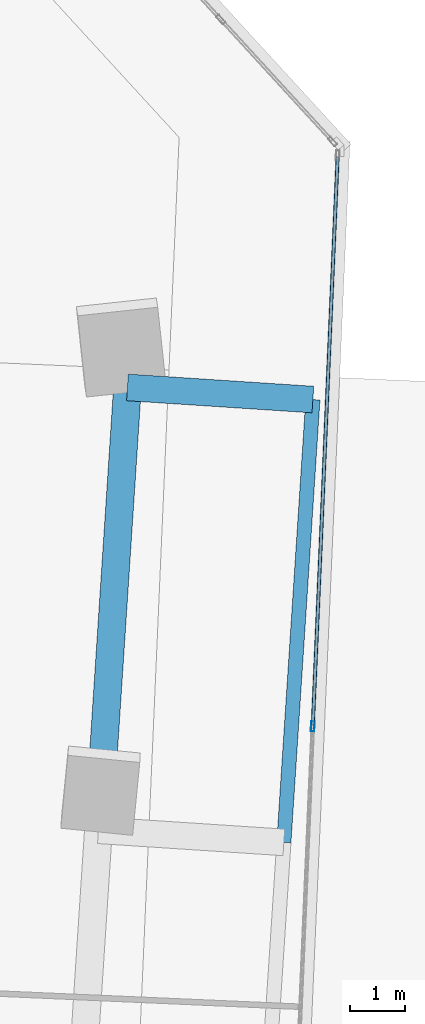
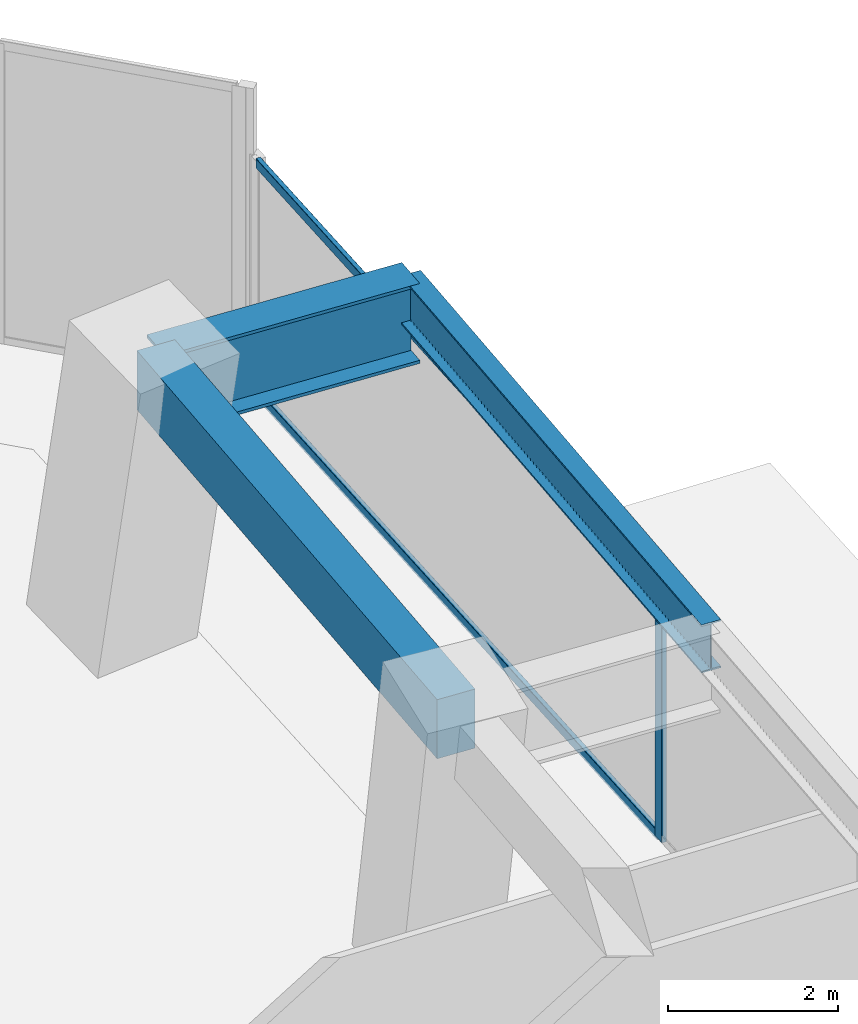
# One storey, part 13 of 27: 3 beams, 3 members, 1 element without a shape of its own.
"""IFC4 building model written with IfcOpenShell, lengths in metres."""

from ifc_helpers import new_model, si_unit, direction, frame, origin, origin_2d, place, context, subcontext, project, spatial, rectangle, hollow_rectangle, i_section, extrude, source, transform, mapped, material, material_profile, profile_set, type_object, element, aggregate, save


model = new_model("IFC4")

# Units and contexts
model_context = context("Model", 3, precision=1e-05, world=origin(), true_north=direction((0.0, 1.0)))
body_context = subcontext(model_context, "Body", "Model", "MODEL_VIEW")
ifc_project = project(units=[si_unit("LENGTHUNIT", "METRE"), si_unit("AREAUNIT", "SQUARE_METRE"), si_unit("VOLUMEUNIT", "CUBIC_METRE"), si_unit("PLANEANGLEUNIT", "RADIAN"), si_unit("MASSUNIT", "GRAM", prefix="KILO")], contexts=[model_context])

# Site, building, storey
site_placement = place(None, origin())
site = spatial("IfcSite", under=ifc_project, at=site_placement, CompositionType="ELEMENT")
building_placement = place(site_placement, origin())
building = spatial("IfcBuilding", under=site, at=building_placement, Name="Torre Montelarca", CompositionType="ELEMENT")
storey_placement = place(building_placement, frame((0.0, 0.0, 37.60009765625)))
storey = spatial("IfcBuildingStorey", under=building, at=storey_placement, Name="L08", CompositionType="ELEMENT", Elevation=37.60009765625)

# Beams
ifc_material_1 = material(Name="Concrete C55/67", Category="concrete")
ifc_material_profile_1 = material_profile(ifc_material_1, rectangle(XDim=0.5, YDim=0.85009765625, at=origin_2d()), Name="RCB500X850", Category="concrete")
ifc_profile_set_1 = profile_set([ifc_material_profile_1], Name="Concrete C55/67")
beam_type_1 = type_object("IfcBeamType", Name="BM-SP-RC850-EXT", PredefinedType="SPANDREL", material=ifc_profile_set_1)
shared_shape_1 = source(origin(), body_context, "Body", "SweptSolid", [
    extrude(rectangle(XDim=0.5, YDim=0.85009765625, at=origin_2d()), origin(), (0.0, 0.0, 1.0), 8.0),
])
beam_1_placement = place(storey_placement, frame((59.91748046875, 29.48193359375, 4.135009765625), z_axis=(0.065429257417, 0.997857210363, 0.0), x_axis=(-0.997857210363, 0.065429257417, 0.0)))
element("IfcBeam", 1, at=beam_1_placement, inside=storey, type_object=beam_type_1, Name="L08 Grid Girder Y 32.0-40.0 at X=60.0", PredefinedType="SPANDREL", context=body_context, shape_type="MappedRepresentation", body=[
    mapped(shared_shape_1, transform((0.0, 0.0, 0.0), scale=1.0)),
])
ifc_material_2 = material(Name="Steel ASTM A572 Grade 50", Category="steel")
ifc_material_profile_2 = material_profile(ifc_material_2, i_section(OverallWidth=0.47998046875, OverallDepth=1.14990234375, WebThickness=0.02197265625, FlangeThickness=0.044921875, at=origin_2d()), Name="PG1150X480X22X45", Category="steel")
ifc_profile_set_2 = profile_set([ifc_material_profile_2], Name="Steel ASTM A572 Grade 50")
beam_type_2 = type_object("IfcBeamType", Name="BM-CG-PG1400-EXT", PredefinedType="USERDEFINED", material=ifc_profile_set_2)
shared_shape_2 = source(origin(), body_context, "Body", "SweptSolid", [
    extrude(i_section(OverallWidth=0.47998046875, OverallDepth=1.14990234375, WebThickness=0.02197265625, FlangeThickness=0.044921875, at=origin_2d()), origin(), (0.0, 0.0, 1.0), 3.349853515625),
])
beam_2_placement = place(storey_placement, frame((60.44091796875, 37.46484375, 3.98486328125), z_axis=(0.997860925622, -0.065372571595, 0.0), x_axis=(0.065372571595, 0.997860925622, 0.0)))
element("IfcBeam", 2, at=beam_2_placement, inside=storey, type_object=beam_type_2, Name="L08 Sliding Tray Cantilever Girder East Y=40m (FLR)", ObjectType="CANTILEVER GIRDER", PredefinedType="USERDEFINED", context=body_context, shape_type="MappedRepresentation", body=[
    mapped(shared_shape_2, transform((0.0, 0.0, 0.0), scale=1.0)),
])
ifc_material_3 = material(Name="Steel ASTM A992 Grade 50", Category="steel")
ifc_material_profile_3 = material_profile(ifc_material_3, i_section(OverallWidth=0.256103515625, OverallDepth=0.693115234375, WebThickness=0.014404296875, FlangeThickness=0.023681640625, FilletRadius=0.01806640625, at=origin_2d()), Name="W690X170", Category="steel")
ifc_profile_set_3 = profile_set([ifc_material_profile_3], Name="Steel ASTM A992 Grade 50")
beam_type_3 = type_object("IfcBeamType", Name="BM-G-W690-EXT", PredefinedType="BEAM", material=ifc_profile_set_3)
shared_shape_3 = source(origin(), body_context, "Body", "SweptSolid", [
    extrude(i_section(OverallWidth=0.256103515625, OverallDepth=0.693115234375, WebThickness=0.014404296875, FlangeThickness=0.023681640625, FilletRadius=0.01806640625, at=origin_2d()), origin(), (0.0, 0.0, 1.0), 8.0),
])
beam_3_placement = place(storey_placement, frame((63.260498046875, 29.262939453125, 4.212890625), z_axis=(0.065398870593, 0.997859202355, 0.0), x_axis=(-0.997859202355, 0.065398870593, 0.0)))
element("IfcBeam", 3, at=beam_3_placement, inside=storey, type_object=beam_type_3, Name="L08 Sliding Tray Edge Girder East 32-40m (FLR)", PredefinedType="BEAM", context=body_context, shape_type="MappedRepresentation", body=[
    mapped(shared_shape_3, transform((0.0, 0.0, 0.0), scale=1.0)),
])

# Curtain wall, members
ifc_material_4 = material(Name="Insulated low-E laminated glass", Category="glass")
curtain_wall_type = type_object("IfcCurtainWallType", Name="CW-SYS-Z1", PredefinedType="USERDEFINED", material=ifc_material_4)
curtain_wall_placement = place(storey_placement, origin())
curtain_wall = element("IfcCurtainWall", 4, at=curtain_wall_placement, inside=storey, type_object=curtain_wall_type, Name="L08 Curtain Wall Run CW-T3-L08-E06-B1", ObjectType="UNITISED GLAZING", PredefinedType="USERDEFINED")
ifc_material_5 = material(Name="Anodised aluminium AA 6063-T6", Category="aluminium")
ifc_material_profile_4 = material_profile(ifc_material_5, hollow_rectangle(XDim=0.06494140625, YDim=0.179931640625, WallThickness=0.00390625, InnerFilletRadius=0.00390625, OuterFilletRadius=0.008056640625, at=origin_2d()), Name="ALU65X180X4", Category="aluminium")
ifc_profile_set_4 = profile_set([ifc_material_profile_4], Name="Anodised aluminium AA 6063-T6")
member_type_1 = type_object("IfcMemberType", Name="CWM-ALU180", PredefinedType="MULLION", material=ifc_profile_set_4)
shared_shape_4 = source(origin(), body_context, "Body", "SweptSolid", [
    extrude(hollow_rectangle(XDim=0.06494140625, YDim=0.179931640625, WallThickness=0.00390625, InnerFilletRadius=0.00390625, OuterFilletRadius=0.008056640625, at=origin_2d()), origin(), (0.0, 0.0, 1.0), 3.375),
])
member_1_placement = place(storey_placement, frame((63.7822265625, 31.35498046875, 0.0), z_axis=(0.0, 0.0, 1.0), x_axis=(-0.999048300322, 0.043617583889, 0.0)))
member_1 = element("IfcMember", 5, at=member_1_placement, type_object=member_type_1, Name="CW mullion 2", PredefinedType="MULLION", context=body_context, shape_type="MappedRepresentation", body=[
    mapped(shared_shape_4, transform((0.0, 0.0, 0.0), scale=1.0)),
])
ifc_material_profile_5 = material_profile(ifc_material_5, hollow_rectangle(XDim=0.06494140625, YDim=0.139892578125, WallThickness=0.00390625, InnerFilletRadius=0.00390625, OuterFilletRadius=0.008056640625, at=origin_2d()), Name="ALU65X140X4", Category="aluminium")
ifc_profile_set_5 = profile_set([ifc_material_profile_5], Name="Anodised aluminium AA 6063-T6")
member_type_2 = type_object("IfcMemberType", Name="CWT-ALU140", PredefinedType="USERDEFINED", material=ifc_profile_set_5)
shared_shape_5 = source(origin(), body_context, "Body", "SweptSolid", [
    extrude(hollow_rectangle(XDim=0.06494140625, YDim=0.139892578125, WallThickness=0.00390625, InnerFilletRadius=0.00390625, OuterFilletRadius=0.008056640625, at=origin_2d()), origin(), (0.0, 0.0, 1.0), 10.23681640625),
])
member_2_placement = place(storey_placement, frame((63.783447265625, 31.387451171875, 0.032470703125), z_axis=(0.043620413353, 0.999048176786, 0.0), x_axis=(-0.999048176786, 0.043620413353, 0.0)))
member_2 = element("IfcMember", 6, at=member_2_placement, type_object=member_type_2, Name="CW transom 2.1", ObjectType="TRANSOM", PredefinedType="USERDEFINED", context=body_context, shape_type="MappedRepresentation", body=[
    mapped(shared_shape_5, transform((0.0, 0.0, 0.0), scale=1.0)),
])
member_3_placement = place(storey_placement, frame((63.783447265625, 31.387451171875, 3.34228515625), z_axis=(0.043620413353, 0.999048176786, 0.0), x_axis=(-0.999048176786, 0.043620413353, 0.0)))
member_3 = element("IfcMember", 7, at=member_3_placement, type_object=member_type_2, Name="CW transom 2.2", ObjectType="TRANSOM", PredefinedType="USERDEFINED", context=body_context, shape_type="MappedRepresentation", body=[
    mapped(shared_shape_5, transform((0.0, 0.0, 0.0), scale=1.0)),
])
aggregate(curtain_wall, [member_1, member_2, member_3])

save(model, "model.ifc")
